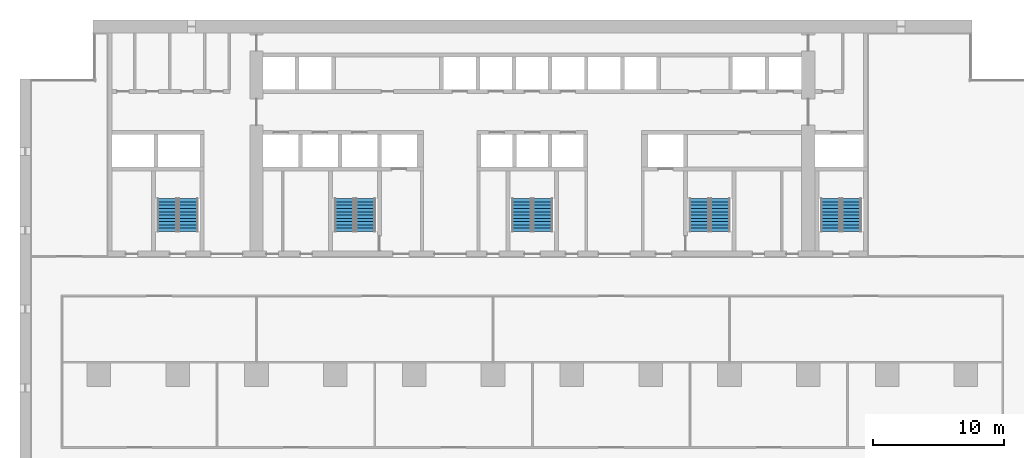
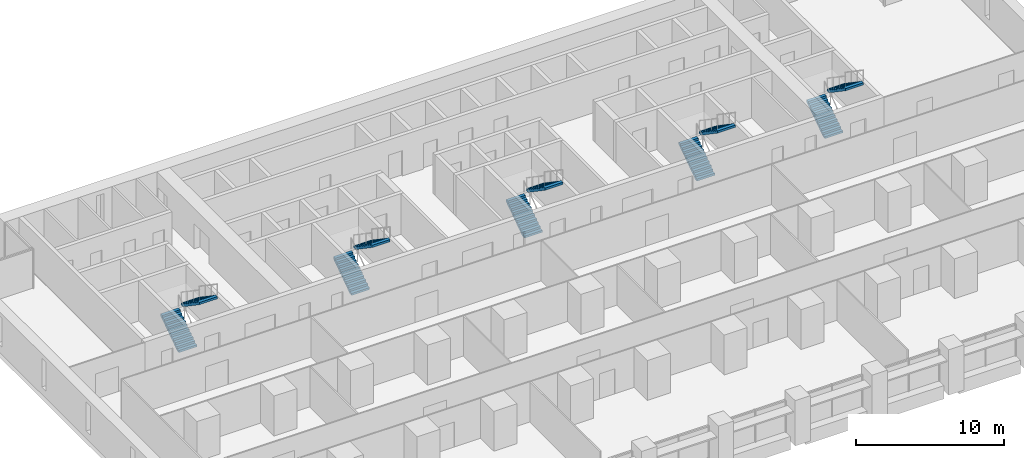
# One storey, part 14 of 18: 10 stair flights, 5 elements without a shape of their own.
"""IFC4 building model written with IfcOpenShell, lengths in metres."""

import ifcopenshell
import ifcopenshell.guid

model = None  # the IFC model being written
_history = None  # IfcOwnerHistory: only IFC2X3 demands one
_inside = {}  # id of a spatial element -> (the spatial element, [elements in it])
_under = {}  # id of a project, library or spatial element -> (it, [spatial elements below it])
_declared = {}  # id of a project -> (the project, [libraries it declares])
_typed = {}  # id of a type object -> (the type object, [elements of that type])
_made_of = {}  # id of a material, layer set ... -> (it, [elements and type objects made of it])


def new_model(schema):
    """Start an empty IFC model of exactly this schema.

    Asked for "IFC4X3", IfcOpenShell would pick the latest addendum, in which some entities
    have other attributes; the version numbers below select the first issue.
    IFC2X3 requires an IfcOwnerHistory on every rooted entity: one is made here for all.
    """
    global model, _history
    if schema == "IFC4X3":
        model = ifcopenshell.file(schema_version=(4, 3, 0, 0))
    else:
        model = ifcopenshell.file(schema=schema)
    _inside.clear()
    _under.clear()
    _declared.clear()
    _typed.clear()
    _made_of.clear()
    _history = None
    if model.schema == "IFC2X3":
        org = make("IfcOrganization", Name="unknown")
        user = make(
            "IfcPersonAndOrganization",
            ThePerson=make("IfcPerson", FamilyName="unknown"),
            TheOrganization=org,
        )
        app = make(
            "IfcApplication",
            ApplicationDeveloper=org,
            Version="unknown",
            ApplicationFullName="unknown",
            ApplicationIdentifier="unknown",
        )
        _history = make(
            "IfcOwnerHistory",
            OwningUser=user,
            OwningApplication=app,
            ChangeAction="ADDED",
            CreationDate=0,
        )
    return model


def make(cls, **values):
    """One entity of the class cls with the attributes given. An attribute that is None is left unset."""
    return model.create_entity(
        cls, **{name: value for name, value in values.items() if value is not None}
    )


def rooted(cls, **values):
    """An entity with a GlobalId (a new one), such as an element, a storey or a relation."""
    return make(cls, GlobalId=ifcopenshell.guid.new(), OwnerHistory=_history, **values)


def si_unit(unit_type, name, prefix=None):
    """IfcSIUnit, for example si_unit("LENGTHUNIT", "METRE", prefix="MILLI")."""
    return make("IfcSIUnit", UnitType=unit_type, Prefix=prefix, Name=name)


def assignment(units):
    """IfcUnitAssignment: the units of a project."""
    return None if units is None else make("IfcUnitAssignment", Units=units)


def point(xyz):
    """IfcCartesianPoint."""
    return None if xyz is None else make("IfcCartesianPoint", Coordinates=xyz)


def direction(xyz):
    """IfcDirection."""
    return None if xyz is None else make("IfcDirection", DirectionRatios=xyz)


def frame(location, z_axis=None, x_axis=None):
    """IfcAxis2Placement3D, a coordinate frame: its origin and axes. An axis left out is left unset."""
    return make(
        "IfcAxis2Placement3D",
        Location=point(location),
        Axis=direction(z_axis),
        RefDirection=direction(x_axis),
    )


def origin():
    """The frame at (0, 0, 0) with its axes left unset."""
    return frame((0.0, 0.0, 0.0))


def place(relative_to, where):
    """IfcLocalPlacement: puts the frame where relative to a parent placement (None: the world)."""
    return make(
        "IfcLocalPlacement", PlacementRelTo=relative_to, RelativePlacement=where
    )


def context(
    kind, dimensions, precision=None, world=None, true_north=None, identifier=None
):
    """IfcGeometricRepresentationContext, for example the 3D "Model" context."""
    return make(
        "IfcGeometricRepresentationContext",
        ContextIdentifier=identifier,
        ContextType=kind,
        CoordinateSpaceDimension=dimensions,
        Precision=precision,
        WorldCoordinateSystem=world,
        TrueNorth=true_north,
    )


def subcontext(parent, identifier, kind, view, scale=None):
    """IfcGeometricRepresentationSubContext, for example "Body" below "Model"."""
    return make(
        "IfcGeometricRepresentationSubContext",
        ContextIdentifier=identifier,
        ContextType=kind,
        ParentContext=parent,
        TargetScale=scale,
        TargetView=view,
    )


def project(units=None, contexts=None):
    """IfcProject with its units and contexts."""
    return rooted(
        "IfcProject",
        Name="project",
        RepresentationContexts=contexts,
        UnitsInContext=assignment(units),
    )


def spatial(cls, under=None, at=None, **own):
    """A site, building, storey or space (cls), placed at a placement, below another one or the project."""
    s = rooted(cls, ObjectPlacement=at, **own)
    if under is not None:
        _under.setdefault(under.id(), (under, []))[1].append(s)
    return s


def polyline(points):
    """IfcPolyline through the points."""
    return make("IfcPolyline", Points=[point(p) for p in points])


def outline(outer, holes=None, kind="AREA"):
    """IfcArbitraryClosedProfileDef: a profile drawn as a closed curve; with holes, ...WithVoids."""
    if holes is None:
        return make("IfcArbitraryClosedProfileDef", ProfileType=kind, OuterCurve=outer)
    return make(
        "IfcArbitraryProfileDefWithVoids",
        ProfileType=kind,
        OuterCurve=outer,
        InnerCurves=holes,
    )


def extrude(swept, where, along, depth):
    """IfcExtrudedAreaSolid: the profile swept, set in the frame where, extruded along a direction by depth."""
    return make(
        "IfcExtrudedAreaSolid",
        SweptArea=swept,
        Position=where,
        ExtrudedDirection=direction(along),
        Depth=depth,
    )


def shape(context_of_items, identifier, shape_type, items):
    """IfcShapeRepresentation: the items that make up one representation, for example the "Body"."""
    return make(
        "IfcShapeRepresentation",
        ContextOfItems=context_of_items,
        RepresentationIdentifier=identifier,
        RepresentationType=shape_type,
        Items=items,
    )


def material(Name=None, Category=None):
    """IfcMaterial."""
    return make("IfcMaterial", Name=Name, Category=Category)


def made_of(thing, what):
    """Note that an element or type object is made of a material, layer set ...; save() writes the relation."""
    if what is not None:
        _made_of.setdefault(what.id(), (what, []))[1].append(thing)
    return thing


def type_object(cls, material=None, **own):
    """A type object (cls), such as IfcWallType, which elements share."""
    return made_of(rooted(cls, **own), material)


def element(
    cls,
    number,
    at=None,
    inside=None,
    cuts=None,
    type_object=None,
    material=None,
    context=None,
    identifier="Body",
    shape_type=None,
    held_by="IfcProductDefinitionShape",
    body=None,
    shapes=None,
    **own,
):
    """One element of the class cls, such as IfcWall. Its Tag is "e" and its number.

    at: its placement. inside: the storey or other place that contains it. cuts: it is an
    opening in that element (IfcRelVoidsElement). A single representation is given by context,
    identifier, shape_type and body (its items); several are given by shapes. held_by: the class
    of the entity that holds the representations. save() writes the other relations.
    """
    e = rooted(cls, Tag="e%d" % number, ObjectPlacement=at, **own)
    if body is not None:
        shapes = [shape(context, identifier, shape_type, body)]
    if shapes is not None:
        e.Representation = make(held_by, Representations=shapes)
    if inside is not None:
        _inside.setdefault(inside.id(), (inside, []))[1].append(e)
    if cuts is not None:
        rooted(
            "IfcRelVoidsElement", RelatingBuildingElement=cuts, RelatedOpeningElement=e
        )
    if type_object is not None:
        _typed.setdefault(type_object.id(), (type_object, []))[1].append(e)
    return made_of(e, material)


def aggregate(whole, parts):
    """IfcRelAggregates: a whole, such as a stair, and the parts it consists of."""
    return rooted("IfcRelAggregates", RelatingObject=whole, RelatedObjects=parts)


def save(model, path):
    """Write the relations noted so far, then the file.

    IfcRelAggregates (storeys below a building ...), IfcRelContainedInSpatialStructure (elements
    in a storey), IfcRelDefinesByType, IfcRelAssociatesMaterial and IfcRelDeclares: one each for
    every whole, place, type object, material and project.
    """
    for whole, parts in _under.values():
        aggregate(whole, parts)
    for where, things in _inside.values():
        rooted(
            "IfcRelContainedInSpatialStructure",
            RelatedElements=things,
            RelatingStructure=where,
        )
    for kind, things in _typed.values():
        rooted("IfcRelDefinesByType", RelatedObjects=things, RelatingType=kind)
    for what, things in _made_of.values():
        rooted("IfcRelAssociatesMaterial", RelatedObjects=things, RelatingMaterial=what)
    for by, libraries in _declared.values():
        rooted("IfcRelDeclares", RelatingContext=by, RelatedDefinitions=libraries)
    model.write(path)


model = new_model("IFC4")

# Units and contexts
model_context = context("Model", 3, precision=1e-05, world=origin(), true_north=direction((0.0, 1.0)))
body_context = subcontext(model_context, "Body", "Model", "MODEL_VIEW")
ifc_project = project(units=[si_unit("LENGTHUNIT", "METRE"), si_unit("AREAUNIT", "SQUARE_METRE"), si_unit("VOLUMEUNIT", "CUBIC_METRE"), si_unit("PLANEANGLEUNIT", "RADIAN"), si_unit("MASSUNIT", "GRAM", prefix="KILO")], contexts=[model_context])

# Site, building, storey
site_placement = place(None, origin())
site = spatial("IfcSite", under=ifc_project, at=site_placement, CompositionType="ELEMENT")
building_placement = place(site_placement, origin())
building = spatial("IfcBuilding", under=site, at=building_placement, Name="Calvaro Tower", CompositionType="ELEMENT")
storey_placement = place(building_placement, frame((0.0, 0.0, 30.0)))
storey = spatial("IfcBuildingStorey", under=building, at=storey_placement, Name="L06", CompositionType="ELEMENT", Elevation=30.0)

# Stair, stair flights
ifc_material_1 = material(Name="Concrete C40/50", Category="concrete")
stair_type = type_object("IfcStairType", Name="Exit stair 1400 2 flights", PredefinedType="HALF_TURN_STAIR", material=ifc_material_1)
stair_1_placement = place(storey_placement, origin())
stair_1 = element("IfcStair", 1, at=stair_1_placement, inside=storey, type_object=stair_type, Name="Exit stair S1", PredefinedType="HALF_TURN_STAIR")
ifc_material_2 = material(Name="Concrete C40/50", Category="concrete")
stair_flight_type = type_object("IfcStairFlightType", Name="Stair flight", PredefinedType="STRAIGHT", material=ifc_material_2)
stair_flight_1_placement = place(storey_placement, frame((11.199951171875, 29.89990234375, 0.0), z_axis=(0.0, 0.0, 1.0), x_axis=(0.0, 1.0, 0.0)))
stair_flight_1 = element("IfcStairFlight", 2, at=stair_flight_1_placement, type_object=stair_flight_type, Name="Exit stair 1, flight 1", NumberOfRisers=11, NumberOfTreads=10, PredefinedType="STRAIGHT", RiserHeight=0.170454545, TreadLength=0.25, context=body_context, shape_type="SweptSolid", body=[
    extrude(outline(polyline([(0.0, 0.0), (0.0, 0.17041015625), (0.25, 0.17041015625), (0.25, 0.3408203125), (0.5, 0.3408203125), (0.5, 0.511474609375), (0.75, 0.511474609375), (0.75, 0.681884765625), (1.0, 0.681884765625), (1.0, 0.852294921875), (1.25, 0.852294921875), (1.25, 1.022705078125), (1.5, 1.022705078125), (1.5, 1.193115234375), (1.75, 1.193115234375), (1.75, 1.363525390625), (2.0, 1.363525390625), (2.0, 1.5341796875), (2.25, 1.5341796875), (2.25, 1.70458984375), (2.5, 1.70458984375), (2.5, 1.875), (2.5, 1.523193359375), (0.26611328125, 0.0), (0.0, 0.0)])), frame((0.0, 0.699951171875, 0.0), z_axis=(0.0, -1.0, 0.0), x_axis=(1.0, 0.0, 0.0)), (0.0, 0.0, 1.0), 1.39990234375),
])
stair_flight_2_placement = place(storey_placement, frame((12.800048828125, 32.39990234375, 1.875), z_axis=(0.0, 0.0, 1.0), x_axis=(0.0, -1.0, 0.0)))
stair_flight_2 = element("IfcStairFlight", 3, at=stair_flight_2_placement, type_object=stair_flight_type, Name="Exit stair 1, flight 2", NumberOfRisers=11, NumberOfTreads=10, PredefinedType="STRAIGHT", RiserHeight=0.170454545, TreadLength=0.25, context=body_context, shape_type="SweptSolid", body=[
    extrude(outline(polyline([(0.0, 0.0), (0.0, 0.17041015625), (0.25, 0.17041015625), (0.25, 0.3408203125), (0.5, 0.3408203125), (0.5, 0.511474609375), (0.75, 0.511474609375), (0.75, 0.681884765625), (1.0, 0.681884765625), (1.0, 0.852294921875), (1.25, 0.852294921875), (1.25, 1.022705078125), (1.5, 1.022705078125), (1.5, 1.193115234375), (1.75, 1.193115234375), (1.75, 1.363525390625), (2.0, 1.363525390625), (2.0, 1.5341796875), (2.25, 1.5341796875), (2.25, 1.70458984375), (2.5, 1.70458984375), (2.5, 1.875), (2.5, 1.523193359375), (0.26611328125, 0.0), (0.0, 0.0)])), frame((0.0, 0.699951171875, 0.0), z_axis=(0.0, -1.0, 0.0), x_axis=(1.0, 0.0, 0.0)), (0.0, 0.0, 1.0), 1.39990234375),
])
aggregate(stair_1, [stair_flight_1, stair_flight_2])

stair_2_placement = place(storey_placement, origin())
stair_2 = element("IfcStair", 4, at=stair_2_placement, inside=storey, type_object=stair_type, Name="Exit stair S2", PredefinedType="HALF_TURN_STAIR")
stair_flight_3_placement = place(storey_placement, frame((24.699951171875, 29.89990234375, 0.0), z_axis=(0.0, 0.0, 1.0), x_axis=(0.0, 1.0, 0.0)))
stair_flight_3 = element("IfcStairFlight", 5, at=stair_flight_3_placement, type_object=stair_flight_type, Name="Exit stair 2, flight 1", NumberOfRisers=11, NumberOfTreads=10, PredefinedType="STRAIGHT", RiserHeight=0.170454545, TreadLength=0.25, context=body_context, shape_type="SweptSolid", body=[
    extrude(outline(polyline([(0.0, 0.0), (0.0, 0.17041015625), (0.25, 0.17041015625), (0.25, 0.3408203125), (0.5, 0.3408203125), (0.5, 0.511474609375), (0.75, 0.511474609375), (0.75, 0.681884765625), (1.0, 0.681884765625), (1.0, 0.852294921875), (1.25, 0.852294921875), (1.25, 1.022705078125), (1.5, 1.022705078125), (1.5, 1.193115234375), (1.75, 1.193115234375), (1.75, 1.363525390625), (2.0, 1.363525390625), (2.0, 1.5341796875), (2.25, 1.5341796875), (2.25, 1.70458984375), (2.5, 1.70458984375), (2.5, 1.875), (2.5, 1.523193359375), (0.26611328125, 0.0), (0.0, 0.0)])), frame((0.0, 0.699951171875, 0.0), z_axis=(0.0, -1.0, 0.0), x_axis=(1.0, 0.0, 0.0)), (0.0, 0.0, 1.0), 1.39990234375),
])
stair_flight_4_placement = place(storey_placement, frame((26.300048828125, 32.39990234375, 1.875), z_axis=(0.0, 0.0, 1.0), x_axis=(0.0, -1.0, 0.0)))
stair_flight_4 = element("IfcStairFlight", 6, at=stair_flight_4_placement, type_object=stair_flight_type, Name="Exit stair 2, flight 2", NumberOfRisers=11, NumberOfTreads=10, PredefinedType="STRAIGHT", RiserHeight=0.170454545, TreadLength=0.25, context=body_context, shape_type="SweptSolid", body=[
    extrude(outline(polyline([(0.0, 0.0), (0.0, 0.17041015625), (0.25, 0.17041015625), (0.25, 0.3408203125), (0.5, 0.3408203125), (0.5, 0.511474609375), (0.75, 0.511474609375), (0.75, 0.681884765625), (1.0, 0.681884765625), (1.0, 0.852294921875), (1.25, 0.852294921875), (1.25, 1.022705078125), (1.5, 1.022705078125), (1.5, 1.193115234375), (1.75, 1.193115234375), (1.75, 1.363525390625), (2.0, 1.363525390625), (2.0, 1.5341796875), (2.25, 1.5341796875), (2.25, 1.70458984375), (2.5, 1.70458984375), (2.5, 1.875), (2.5, 1.523193359375), (0.26611328125, 0.0), (0.0, 0.0)])), frame((0.0, 0.699951171875, 0.0), z_axis=(0.0, -1.0, 0.0), x_axis=(1.0, 0.0, 0.0)), (0.0, 0.0, 1.0), 1.39990234375),
])
aggregate(stair_2, [stair_flight_3, stair_flight_4])

stair_3_placement = place(storey_placement, origin())
stair_3 = element("IfcStair", 7, at=stair_3_placement, inside=storey, type_object=stair_type, Name="Exit stair S3", PredefinedType="HALF_TURN_STAIR")
stair_flight_5_placement = place(storey_placement, frame((38.199951171875, 29.89990234375, 0.0), z_axis=(0.0, 0.0, 1.0), x_axis=(0.0, 1.0, 0.0)))
stair_flight_5 = element("IfcStairFlight", 8, at=stair_flight_5_placement, type_object=stair_flight_type, Name="Exit stair 3, flight 1", NumberOfRisers=11, NumberOfTreads=10, PredefinedType="STRAIGHT", RiserHeight=0.170454545, TreadLength=0.25, context=body_context, shape_type="SweptSolid", body=[
    extrude(outline(polyline([(0.0, 0.0), (0.0, 0.17041015625), (0.25, 0.17041015625), (0.25, 0.3408203125), (0.5, 0.3408203125), (0.5, 0.511474609375), (0.75, 0.511474609375), (0.75, 0.681884765625), (1.0, 0.681884765625), (1.0, 0.852294921875), (1.25, 0.852294921875), (1.25, 1.022705078125), (1.5, 1.022705078125), (1.5, 1.193115234375), (1.75, 1.193115234375), (1.75, 1.363525390625), (2.0, 1.363525390625), (2.0, 1.5341796875), (2.25, 1.5341796875), (2.25, 1.70458984375), (2.5, 1.70458984375), (2.5, 1.875), (2.5, 1.523193359375), (0.26611328125, 0.0), (0.0, 0.0)])), frame((0.0, 0.699951171875, 0.0), z_axis=(0.0, -1.0, 0.0), x_axis=(1.0, 0.0, 0.0)), (0.0, 0.0, 1.0), 1.39990234375),
])
stair_flight_6_placement = place(storey_placement, frame((39.800048828125, 32.39990234375, 1.875), z_axis=(0.0, 0.0, 1.0), x_axis=(0.0, -1.0, 0.0)))
stair_flight_6 = element("IfcStairFlight", 9, at=stair_flight_6_placement, type_object=stair_flight_type, Name="Exit stair 3, flight 2", NumberOfRisers=11, NumberOfTreads=10, PredefinedType="STRAIGHT", RiserHeight=0.170454545, TreadLength=0.25, context=body_context, shape_type="SweptSolid", body=[
    extrude(outline(polyline([(0.0, 0.0), (0.0, 0.17041015625), (0.25, 0.17041015625), (0.25, 0.3408203125), (0.5, 0.3408203125), (0.5, 0.511474609375), (0.75, 0.511474609375), (0.75, 0.681884765625), (1.0, 0.681884765625), (1.0, 0.852294921875), (1.25, 0.852294921875), (1.25, 1.022705078125), (1.5, 1.022705078125), (1.5, 1.193115234375), (1.75, 1.193115234375), (1.75, 1.363525390625), (2.0, 1.363525390625), (2.0, 1.5341796875), (2.25, 1.5341796875), (2.25, 1.70458984375), (2.5, 1.70458984375), (2.5, 1.875), (2.5, 1.523193359375), (0.26611328125, 0.0), (0.0, 0.0)])), frame((0.0, 0.699951171875, 0.0), z_axis=(0.0, -1.0, 0.0), x_axis=(1.0, 0.0, 0.0)), (0.0, 0.0, 1.0), 1.39990234375),
])
aggregate(stair_3, [stair_flight_5, stair_flight_6])

stair_4_placement = place(storey_placement, origin())
stair_4 = element("IfcStair", 10, at=stair_4_placement, inside=storey, type_object=stair_type, Name="Exit stair S4", PredefinedType="HALF_TURN_STAIR")
stair_flight_7_placement = place(storey_placement, frame((51.699951171875, 29.89990234375, 0.0), z_axis=(0.0, 0.0, 1.0), x_axis=(0.0, 1.0, 0.0)))
stair_flight_7 = element("IfcStairFlight", 11, at=stair_flight_7_placement, type_object=stair_flight_type, Name="Exit stair 4, flight 1", NumberOfRisers=11, NumberOfTreads=10, PredefinedType="STRAIGHT", RiserHeight=0.170454545, TreadLength=0.25, context=body_context, shape_type="SweptSolid", body=[
    extrude(outline(polyline([(0.0, 0.0), (0.0, 0.17041015625), (0.25, 0.17041015625), (0.25, 0.3408203125), (0.5, 0.3408203125), (0.5, 0.511474609375), (0.75, 0.511474609375), (0.75, 0.681884765625), (1.0, 0.681884765625), (1.0, 0.852294921875), (1.25, 0.852294921875), (1.25, 1.022705078125), (1.5, 1.022705078125), (1.5, 1.193115234375), (1.75, 1.193115234375), (1.75, 1.363525390625), (2.0, 1.363525390625), (2.0, 1.5341796875), (2.25, 1.5341796875), (2.25, 1.70458984375), (2.5, 1.70458984375), (2.5, 1.875), (2.5, 1.523193359375), (0.26611328125, 0.0), (0.0, 0.0)])), frame((0.0, 0.699951171875, 0.0), z_axis=(0.0, -1.0, 0.0), x_axis=(1.0, 0.0, 0.0)), (0.0, 0.0, 1.0), 1.39990234375),
])
stair_flight_8_placement = place(storey_placement, frame((53.300048828125, 32.39990234375, 1.875), z_axis=(0.0, 0.0, 1.0), x_axis=(0.0, -1.0, 0.0)))
stair_flight_8 = element("IfcStairFlight", 12, at=stair_flight_8_placement, type_object=stair_flight_type, Name="Exit stair 4, flight 2", NumberOfRisers=11, NumberOfTreads=10, PredefinedType="STRAIGHT", RiserHeight=0.170454545, TreadLength=0.25, context=body_context, shape_type="SweptSolid", body=[
    extrude(outline(polyline([(0.0, 0.0), (0.0, 0.17041015625), (0.25, 0.17041015625), (0.25, 0.3408203125), (0.5, 0.3408203125), (0.5, 0.511474609375), (0.75, 0.511474609375), (0.75, 0.681884765625), (1.0, 0.681884765625), (1.0, 0.852294921875), (1.25, 0.852294921875), (1.25, 1.022705078125), (1.5, 1.022705078125), (1.5, 1.193115234375), (1.75, 1.193115234375), (1.75, 1.363525390625), (2.0, 1.363525390625), (2.0, 1.5341796875), (2.25, 1.5341796875), (2.25, 1.70458984375), (2.5, 1.70458984375), (2.5, 1.875), (2.5, 1.523193359375), (0.26611328125, 0.0), (0.0, 0.0)])), frame((0.0, 0.699951171875, 0.0), z_axis=(0.0, -1.0, 0.0), x_axis=(1.0, 0.0, 0.0)), (0.0, 0.0, 1.0), 1.39990234375),
])
aggregate(stair_4, [stair_flight_7, stair_flight_8])

stair_5_placement = place(storey_placement, origin())
stair_5 = element("IfcStair", 13, at=stair_5_placement, inside=storey, type_object=stair_type, Name="Exit stair S5", PredefinedType="HALF_TURN_STAIR")
stair_flight_9_placement = place(storey_placement, frame((61.699951171875, 29.89990234375, 0.0), z_axis=(0.0, 0.0, 1.0), x_axis=(0.0, 1.0, 0.0)))
stair_flight_9 = element("IfcStairFlight", 14, at=stair_flight_9_placement, type_object=stair_flight_type, Name="Exit stair 5, flight 1", NumberOfRisers=11, NumberOfTreads=10, PredefinedType="STRAIGHT", RiserHeight=0.170454545, TreadLength=0.25, context=body_context, shape_type="SweptSolid", body=[
    extrude(outline(polyline([(0.0, 0.0), (0.0, 0.17041015625), (0.25, 0.17041015625), (0.25, 0.3408203125), (0.5, 0.3408203125), (0.5, 0.511474609375), (0.75, 0.511474609375), (0.75, 0.681884765625), (1.0, 0.681884765625), (1.0, 0.852294921875), (1.25, 0.852294921875), (1.25, 1.022705078125), (1.5, 1.022705078125), (1.5, 1.193115234375), (1.75, 1.193115234375), (1.75, 1.363525390625), (2.0, 1.363525390625), (2.0, 1.5341796875), (2.25, 1.5341796875), (2.25, 1.70458984375), (2.5, 1.70458984375), (2.5, 1.875), (2.5, 1.523193359375), (0.26611328125, 0.0), (0.0, 0.0)])), frame((0.0, 0.699951171875, 0.0), z_axis=(0.0, -1.0, 0.0), x_axis=(1.0, 0.0, 0.0)), (0.0, 0.0, 1.0), 1.39990234375),
])
stair_flight_10_placement = place(storey_placement, frame((63.300048828125, 32.39990234375, 1.875), z_axis=(0.0, 0.0, 1.0), x_axis=(0.0, -1.0, 0.0)))
stair_flight_10 = element("IfcStairFlight", 15, at=stair_flight_10_placement, type_object=stair_flight_type, Name="Exit stair 5, flight 2", NumberOfRisers=11, NumberOfTreads=10, PredefinedType="STRAIGHT", RiserHeight=0.170454545, TreadLength=0.25, context=body_context, shape_type="SweptSolid", body=[
    extrude(outline(polyline([(0.0, 0.0), (0.0, 0.17041015625), (0.25, 0.17041015625), (0.25, 0.3408203125), (0.5, 0.3408203125), (0.5, 0.511474609375), (0.75, 0.511474609375), (0.75, 0.681884765625), (1.0, 0.681884765625), (1.0, 0.852294921875), (1.25, 0.852294921875), (1.25, 1.022705078125), (1.5, 1.022705078125), (1.5, 1.193115234375), (1.75, 1.193115234375), (1.75, 1.363525390625), (2.0, 1.363525390625), (2.0, 1.5341796875), (2.25, 1.5341796875), (2.25, 1.70458984375), (2.5, 1.70458984375), (2.5, 1.875), (2.5, 1.523193359375), (0.26611328125, 0.0), (0.0, 0.0)])), frame((0.0, 0.699951171875, 0.0), z_axis=(0.0, -1.0, 0.0), x_axis=(1.0, 0.0, 0.0)), (0.0, 0.0, 1.0), 1.39990234375),
])
aggregate(stair_5, [stair_flight_9, stair_flight_10])

save(model, "model.ifc")
